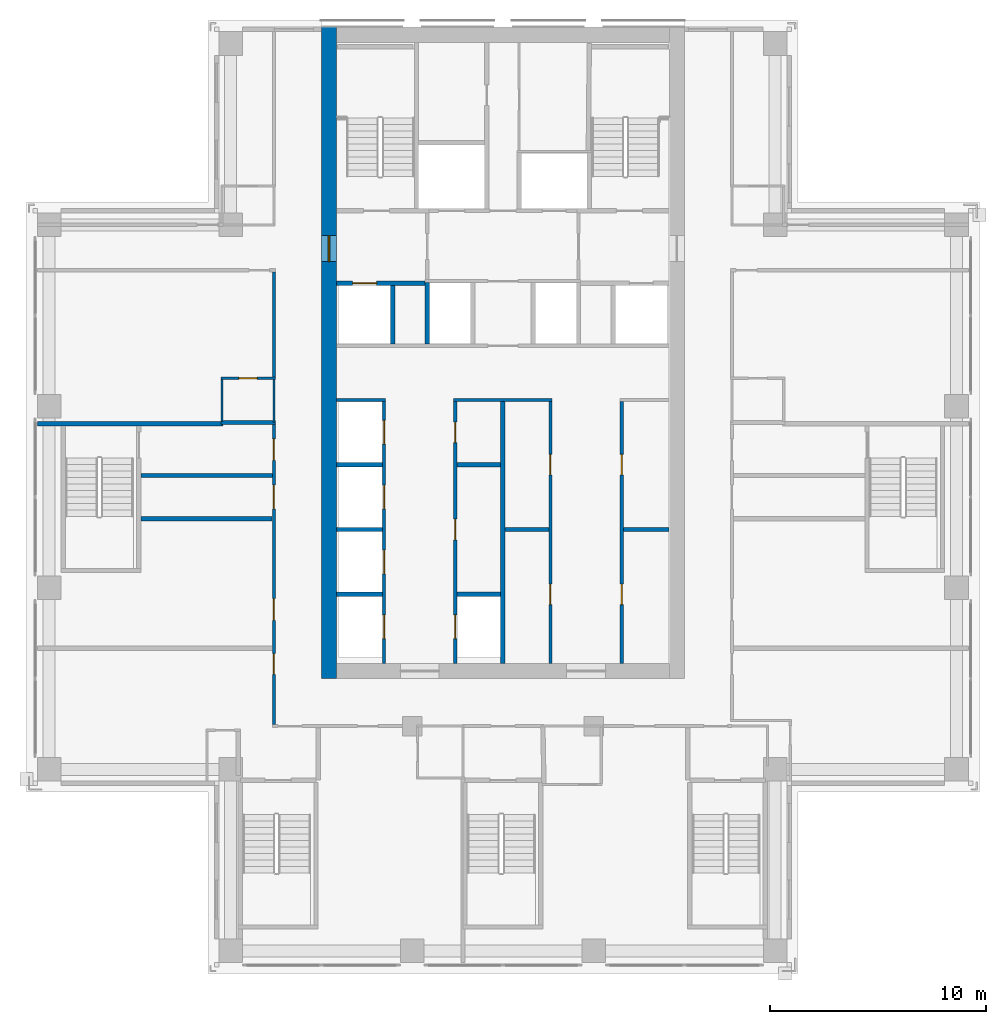
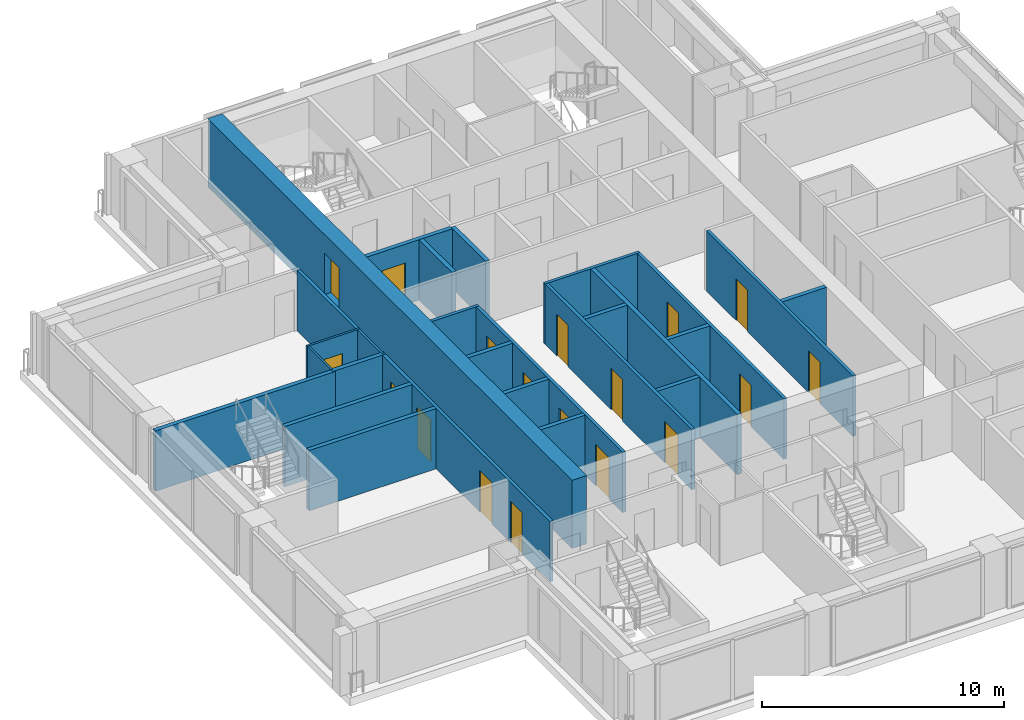
# One storey, part 10 of 16: 27 walls, 18 doors, 18 openings.
"""IFC4 building model written with IfcOpenShell, lengths in metres."""

import ifcopenshell
import ifcopenshell.guid

model = None  # the IFC model being written
_history = None  # IfcOwnerHistory: only IFC2X3 demands one
_inside = {}  # id of a spatial element -> (the spatial element, [elements in it])
_under = {}  # id of a project, library or spatial element -> (it, [spatial elements below it])
_declared = {}  # id of a project -> (the project, [libraries it declares])
_typed = {}  # id of a type object -> (the type object, [elements of that type])
_made_of = {}  # id of a material, layer set ... -> (it, [elements and type objects made of it])


def new_model(schema):
    """Start an empty IFC model of exactly this schema.

    Asked for "IFC4X3", IfcOpenShell would pick the latest addendum, in which some entities
    have other attributes; the version numbers below select the first issue.
    IFC2X3 requires an IfcOwnerHistory on every rooted entity: one is made here for all.
    """
    global model, _history
    if schema == "IFC4X3":
        model = ifcopenshell.file(schema_version=(4, 3, 0, 0))
    else:
        model = ifcopenshell.file(schema=schema)
    _inside.clear()
    _under.clear()
    _declared.clear()
    _typed.clear()
    _made_of.clear()
    _history = None
    if model.schema == "IFC2X3":
        org = make("IfcOrganization", Name="unknown")
        user = make(
            "IfcPersonAndOrganization",
            ThePerson=make("IfcPerson", FamilyName="unknown"),
            TheOrganization=org,
        )
        app = make(
            "IfcApplication",
            ApplicationDeveloper=org,
            Version="unknown",
            ApplicationFullName="unknown",
            ApplicationIdentifier="unknown",
        )
        _history = make(
            "IfcOwnerHistory",
            OwningUser=user,
            OwningApplication=app,
            ChangeAction="ADDED",
            CreationDate=0,
        )
    return model


def make(cls, **values):
    """One entity of the class cls with the attributes given. An attribute that is None is left unset."""
    return model.create_entity(
        cls, **{name: value for name, value in values.items() if value is not None}
    )


def rooted(cls, **values):
    """An entity with a GlobalId (a new one), such as an element, a storey or a relation."""
    return make(cls, GlobalId=ifcopenshell.guid.new(), OwnerHistory=_history, **values)


def si_unit(unit_type, name, prefix=None):
    """IfcSIUnit, for example si_unit("LENGTHUNIT", "METRE", prefix="MILLI")."""
    return make("IfcSIUnit", UnitType=unit_type, Prefix=prefix, Name=name)


def assignment(units):
    """IfcUnitAssignment: the units of a project."""
    return None if units is None else make("IfcUnitAssignment", Units=units)


def point(xyz):
    """IfcCartesianPoint."""
    return None if xyz is None else make("IfcCartesianPoint", Coordinates=xyz)


def direction(xyz):
    """IfcDirection."""
    return None if xyz is None else make("IfcDirection", DirectionRatios=xyz)


def frame(location, z_axis=None, x_axis=None):
    """IfcAxis2Placement3D, a coordinate frame: its origin and axes. An axis left out is left unset."""
    return make(
        "IfcAxis2Placement3D",
        Location=point(location),
        Axis=direction(z_axis),
        RefDirection=direction(x_axis),
    )


def frame_2d(location, x_axis=None):
    """IfcAxis2Placement2D, a coordinate frame in the plane: its origin and x axis."""
    return make(
        "IfcAxis2Placement2D", Location=point(location), RefDirection=direction(x_axis)
    )


def origin():
    """The frame at (0, 0, 0) with its axes left unset."""
    return frame((0.0, 0.0, 0.0))


def place(relative_to, where):
    """IfcLocalPlacement: puts the frame where relative to a parent placement (None: the world)."""
    return make(
        "IfcLocalPlacement", PlacementRelTo=relative_to, RelativePlacement=where
    )


def context(
    kind, dimensions, precision=None, world=None, true_north=None, identifier=None
):
    """IfcGeometricRepresentationContext, for example the 3D "Model" context."""
    return make(
        "IfcGeometricRepresentationContext",
        ContextIdentifier=identifier,
        ContextType=kind,
        CoordinateSpaceDimension=dimensions,
        Precision=precision,
        WorldCoordinateSystem=world,
        TrueNorth=true_north,
    )


def subcontext(parent, identifier, kind, view, scale=None):
    """IfcGeometricRepresentationSubContext, for example "Body" below "Model"."""
    return make(
        "IfcGeometricRepresentationSubContext",
        ContextIdentifier=identifier,
        ContextType=kind,
        ParentContext=parent,
        TargetScale=scale,
        TargetView=view,
    )


def project(units=None, contexts=None):
    """IfcProject with its units and contexts."""
    return rooted(
        "IfcProject",
        Name="project",
        RepresentationContexts=contexts,
        UnitsInContext=assignment(units),
    )


def spatial(cls, under=None, at=None, **own):
    """A site, building, storey or space (cls), placed at a placement, below another one or the project."""
    s = rooted(cls, ObjectPlacement=at, **own)
    if under is not None:
        _under.setdefault(under.id(), (under, []))[1].append(s)
    return s


def profile(cls, at=None, kind="AREA", **sizes):
    """A parametric profile (cls). Its sizes go by their IFC names, for example OverallWidth=200.0."""
    return make(cls, ProfileType=kind, Position=at, **sizes)


def rectangle(**sizes):
    """IfcRectangleProfileDef."""
    return profile("IfcRectangleProfileDef", **sizes)


def extrude(swept, where, along, depth):
    """IfcExtrudedAreaSolid: the profile swept, set in the frame where, extruded along a direction by depth."""
    return make(
        "IfcExtrudedAreaSolid",
        SweptArea=swept,
        Position=where,
        ExtrudedDirection=direction(along),
        Depth=depth,
    )


def shape(context_of_items, identifier, shape_type, items):
    """IfcShapeRepresentation: the items that make up one representation, for example the "Body"."""
    return make(
        "IfcShapeRepresentation",
        ContextOfItems=context_of_items,
        RepresentationIdentifier=identifier,
        RepresentationType=shape_type,
        Items=items,
    )


def material(Name=None, Category=None):
    """IfcMaterial."""
    return make("IfcMaterial", Name=Name, Category=Category)


def layer(
    of_material, thickness, ventilated=None, Name=None, Category=None, Priority=None
):
    """IfcMaterialLayer: one layer of a wall or slab, of a material (None: an air gap)."""
    return make(
        "IfcMaterialLayer",
        Material=of_material,
        LayerThickness=thickness,
        IsVentilated=ventilated,
        Name=Name,
        Category=Category,
        Priority=Priority,
    )


def layer_set(layers, Name=None):
    """IfcMaterialLayerSet."""
    return make("IfcMaterialLayerSet", MaterialLayers=layers, LayerSetName=Name)


def made_of(thing, what):
    """Note that an element or type object is made of a material, layer set ...; save() writes the relation."""
    if what is not None:
        _made_of.setdefault(what.id(), (what, []))[1].append(thing)
    return thing


def type_object(cls, material=None, **own):
    """A type object (cls), such as IfcWallType, which elements share."""
    return made_of(rooted(cls, **own), material)


def element(
    cls,
    number,
    at=None,
    inside=None,
    cuts=None,
    type_object=None,
    material=None,
    context=None,
    identifier="Body",
    shape_type=None,
    held_by="IfcProductDefinitionShape",
    body=None,
    shapes=None,
    **own,
):
    """One element of the class cls, such as IfcWall. Its Tag is "e" and its number.

    at: its placement. inside: the storey or other place that contains it. cuts: it is an
    opening in that element (IfcRelVoidsElement). A single representation is given by context,
    identifier, shape_type and body (its items); several are given by shapes. held_by: the class
    of the entity that holds the representations. save() writes the other relations.
    """
    e = rooted(cls, Tag="e%d" % number, ObjectPlacement=at, **own)
    if body is not None:
        shapes = [shape(context, identifier, shape_type, body)]
    if shapes is not None:
        e.Representation = make(held_by, Representations=shapes)
    if inside is not None:
        _inside.setdefault(inside.id(), (inside, []))[1].append(e)
    if cuts is not None:
        rooted(
            "IfcRelVoidsElement", RelatingBuildingElement=cuts, RelatedOpeningElement=e
        )
    if type_object is not None:
        _typed.setdefault(type_object.id(), (type_object, []))[1].append(e)
    return made_of(e, material)


def fill(opening, filler):
    """IfcRelFillsElement: the door or window that sits in an opening."""
    return rooted(
        "IfcRelFillsElement",
        RelatingOpeningElement=opening,
        RelatedBuildingElement=filler,
    )


def aggregate(whole, parts):
    """IfcRelAggregates: a whole, such as a stair, and the parts it consists of."""
    return rooted("IfcRelAggregates", RelatingObject=whole, RelatedObjects=parts)


def save(model, path):
    """Write the relations noted so far, then the file.

    IfcRelAggregates (storeys below a building ...), IfcRelContainedInSpatialStructure (elements
    in a storey), IfcRelDefinesByType, IfcRelAssociatesMaterial and IfcRelDeclares: one each for
    every whole, place, type object, material and project.
    """
    for whole, parts in _under.values():
        aggregate(whole, parts)
    for where, things in _inside.values():
        rooted(
            "IfcRelContainedInSpatialStructure",
            RelatedElements=things,
            RelatingStructure=where,
        )
    for kind, things in _typed.values():
        rooted("IfcRelDefinesByType", RelatedObjects=things, RelatingType=kind)
    for what, things in _made_of.values():
        rooted("IfcRelAssociatesMaterial", RelatedObjects=things, RelatingMaterial=what)
    for by, libraries in _declared.values():
        rooted("IfcRelDeclares", RelatingContext=by, RelatedDefinitions=libraries)
    model.write(path)


model = new_model("IFC4")

# Units and contexts
model_context = context("Model", 3, precision=1e-05, world=origin(), true_north=direction((0.0, 1.0)))
body_context = subcontext(model_context, "Body", "Model", "MODEL_VIEW")
ifc_project = project(units=[si_unit("LENGTHUNIT", "METRE"), si_unit("AREAUNIT", "SQUARE_METRE"), si_unit("VOLUMEUNIT", "CUBIC_METRE"), si_unit("PLANEANGLEUNIT", "RADIAN"), si_unit("MASSUNIT", "GRAM", prefix="KILO")], contexts=[model_context])

# Site, building, storey
site_placement = place(None, origin())
site = spatial("IfcSite", under=ifc_project, at=site_placement, CompositionType="ELEMENT")
building_placement = place(site_placement, origin())
building = spatial("IfcBuilding", under=site, at=building_placement, Name="Vermilion Ogive Tower", CompositionType="ELEMENT")
storey_placement = place(building_placement, frame((0.0, 0.0, 140.0)))
storey = spatial("IfcBuildingStorey", under=building, at=storey_placement, Name="L35", CompositionType="ELEMENT", Elevation=140.0)

# Wall, opening, door
ifc_material_1 = material(Name="Gypsum board partition on steel studs", Category="steel")
ifc_layer_1 = layer(ifc_material_1, 0.10009765625)
ifc_layer_set_1 = layer_set([ifc_layer_1], Name="Partition 100 bath")
wall_type_1 = type_object("IfcWallType", Name="Partition 100 bath", PredefinedType="PARTITIONING", material=ifc_layer_set_1)
wall_1_placement = place(storey_placement, frame((-13.050048828125, 5.5, 0.0), z_axis=(0.0, 0.0, 1.0), x_axis=(1.0, 0.0, 0.0)))
wall_1 = element("IfcWall", 1, at=wall_1_placement, inside=storey, type_object=wall_type_1, Name="L35-W-W027", PredefinedType="PARTITIONING", context=body_context, shape_type="SweptSolid", body=[
    extrude(rectangle(XDim=2.525146484375, YDim=0.10009765625, at=frame_2d((1.2626953125, 0.0))), origin(), (0.0, 0.0, 1.0), 3.050048828125),
])
opening_1_placement = place(wall_1_placement, frame((0.824951171875, 0.0, 0.0)))
opening_1 = element("IfcOpeningElement", 2, at=opening_1_placement, cuts=wall_1, Name="Opening D3G1004", PredefinedType="OPENING", context=body_context, shape_type="SweptSolid", body=[
    extrude(rectangle(XDim=0.85009765625, YDim=2.10009765625, at=frame_2d((0.425048828125, 1.050048828125))), frame((0.0, 0.06005859375, 0.0), z_axis=(0.0, -1.0, 0.0), x_axis=(1.0, 0.0, 0.0)), (0.0, 0.0, 1.0), 0.1201171875),
])
ifc_material_2 = material(Name="Timber door leaf", Category="wood")
door_type_1 = type_object("IfcDoorType", Name="Bath door 850 x 2100 FD30", OperationType="SINGLE_SWING_LEFT", PredefinedType="DOOR", material=ifc_material_2)
door_1_placement = place(opening_1_placement, origin())
door_1 = element("IfcDoor", 3, at=door_1_placement, inside=storey, type_object=door_type_1, Name="L35-D-D004", OperationType="SINGLE_SWING_RIGHT", OverallHeight=2.10009765625, OverallWidth=0.85009765625, PredefinedType="DOOR", context=body_context, shape_type="SweptSolid", body=[
    extrude(rectangle(XDim=0.85009765625, YDim=2.10009765625, at=frame_2d((0.425048828125, 1.050048828125))), frame((0.0, 0.02490234375, 0.0), z_axis=(0.0, -1.0, 0.0), x_axis=(1.0, 0.0, 0.0)), (0.0, 0.0, 1.0), 0.050048828125),
])
fill(opening_1, door_1)

# Walls
wall_2_placement = place(storey_placement, frame((-13.0, 3.5, 0.0), z_axis=(0.0, 0.0, 1.0), x_axis=(0.0, 1.0, 0.0)))
element("IfcWall", 4, at=wall_2_placement, inside=storey, type_object=wall_type_1, Name="L35-W-W040", PredefinedType="PARTITIONING", context=body_context, shape_type="SweptSolid", body=[
    extrude(rectangle(XDim=1.949951171875, YDim=0.10009765625, at=frame_2d((0.97509765625, 0.0))), origin(), (0.0, 0.0, 1.0), 3.050048828125),
])
wall_3_placement = place(storey_placement, frame((-10.60009765625, 3.449951171875, 0.0), z_axis=(0.0, 0.0, 1.0), x_axis=(0.0, 1.0, 0.0)))
element("IfcWall", 5, at=wall_3_placement, inside=storey, type_object=wall_type_1, Name="L35-W-W045", PredefinedType="PARTITIONING", context=body_context, shape_type="SweptSolid", body=[
    extrude(rectangle(XDim=2.0, YDim=0.10009765625, at=frame_2d((1.0, 0.0))), origin(), (0.0, 0.0, 1.0), 3.050048828125),
])

# Wall, openings, doors
ifc_material_3 = material(Name="Gypsum board partition on steel studs", Category="steel")
ifc_layer_2 = layer(ifc_material_3, 0.14990234375)
ifc_layer_set_2 = layer_set([ifc_layer_2], Name="Partition 150 corridor")
wall_type_2 = type_object("IfcWallType", Name="Partition 150 corridor", PredefinedType="PARTITIONING", material=ifc_layer_set_2)
wall_4_placement = place(storey_placement, frame((-10.60009765625, -10.52490234375, 0.0), z_axis=(0.0, 0.0, 1.0), x_axis=(0.0, 1.0, 0.0)))
wall_4 = element("IfcWall", 6, at=wall_4_placement, inside=storey, type_object=wall_type_2, Name="L35-W-W044", PredefinedType="PARTITIONING", context=body_context, shape_type="SweptSolid", body=[
    extrude(rectangle(XDim=13.875, YDim=0.14990234375, at=frame_2d((6.9375, 0.0))), origin(), (0.0, 0.0, 1.0), 3.050048828125),
])
opening_2_placement = place(wall_4_placement, frame((2.324951171875, 0.0, 0.0)))
opening_2 = element("IfcOpeningElement", 7, at=opening_2_placement, cuts=wall_4, Name="Opening D3G1001", PredefinedType="OPENING", context=body_context, shape_type="SweptSolid", body=[
    extrude(rectangle(XDim=0.949951171875, YDim=2.10009765625, at=frame_2d((0.47509765625, 1.050048828125))), frame((0.0, 0.0849609375, 0.0), z_axis=(0.0, -1.0, 0.0), x_axis=(1.0, 0.0, 0.0)), (0.0, 0.0, 1.0), 0.169921875),
])
opening_3_placement = place(wall_4_placement, frame((9.974853515625, 0.0, 0.0)))
opening_3 = element("IfcOpeningElement", 8, at=opening_3_placement, cuts=wall_4, Name="Opening D3G1025", PredefinedType="OPENING", context=body_context, shape_type="SweptSolid", body=[
    extrude(rectangle(XDim=1.10009765625, YDim=2.10009765625, at=frame_2d((0.550048828125, 1.050048828125))), frame((0.0, 0.0849609375, 0.0), z_axis=(0.0, -1.0, 0.0), x_axis=(1.0, 0.0, 0.0)), (0.0, 0.0, 1.0), 0.169921875),
])
opening_4_placement = place(wall_4_placement, frame((4.824951171875, 0.0, 0.0)))
opening_4 = element("IfcOpeningElement", 9, at=opening_4_placement, cuts=wall_4, Name="Opening D3G1027", PredefinedType="OPENING", context=body_context, shape_type="SweptSolid", body=[
    extrude(rectangle(XDim=1.0, YDim=2.10009765625, at=frame_2d((0.5, 1.050048828125))), frame((0.0, 0.0849609375, 0.0), z_axis=(0.0, -1.0, 0.0), x_axis=(1.0, 0.0, 0.0)), (0.0, 0.0, 1.0), 0.169921875),
])
opening_5_placement = place(wall_4_placement, frame((12.224853515625, 0.0, 0.0)))
opening_5 = element("IfcOpeningElement", 10, at=opening_5_placement, cuts=wall_4, Name="Opening D3G1029", PredefinedType="OPENING", context=body_context, shape_type="SweptSolid", body=[
    extrude(rectangle(XDim=1.0, YDim=2.10009765625, at=frame_2d((0.5, 1.050048828125))), frame((0.0, 0.0849609375, 0.0), z_axis=(0.0, -1.0, 0.0), x_axis=(1.0, 0.0, 0.0)), (0.0, 0.0, 1.0), 0.169921875),
])
ifc_material_4 = material(Name="Timber door leaf", Category="wood")
door_type_2 = type_object("IfcDoorType", Name="Stair door 1100 x 2100 FD60S", OperationType="SINGLE_SWING_LEFT", PredefinedType="DOOR", material=ifc_material_4)
door_2_placement = place(opening_3_placement, origin())
door_2 = element("IfcDoor", 11, at=door_2_placement, inside=storey, type_object=door_type_2, Name="L35-D-D025", OperationType="SINGLE_SWING_RIGHT", OverallHeight=2.10009765625, OverallWidth=1.10009765625, PredefinedType="DOOR", context=body_context, shape_type="SweptSolid", body=[
    extrude(rectangle(XDim=1.10009765625, YDim=2.10009765625, at=frame_2d((0.550048828125, 1.050048828125))), frame((0.0, 0.02490234375, 0.0), z_axis=(0.0, -1.0, 0.0), x_axis=(1.0, 0.0, 0.0)), (0.0, 0.0, 1.0), 0.050048828125),
])
fill(opening_3, door_2)
ifc_material_5 = material(Name="Timber door leaf", Category="wood")
door_type_3 = type_object("IfcDoorType", Name="Unit door 1000 x 2100 FD30S", OperationType="SINGLE_SWING_LEFT", PredefinedType="DOOR", material=ifc_material_5)
door_3_placement = place(opening_4_placement, origin())
door_3 = element("IfcDoor", 12, at=door_3_placement, inside=storey, type_object=door_type_3, Name="L35-D-D027", OperationType="SINGLE_SWING_RIGHT", OverallHeight=2.10009765625, OverallWidth=1.0, PredefinedType="DOOR", context=body_context, shape_type="SweptSolid", body=[
    extrude(rectangle(XDim=1.0, YDim=2.10009765625, at=frame_2d((0.5, 1.050048828125))), frame((0.0, 0.02490234375, 0.0), z_axis=(0.0, -1.0, 0.0), x_axis=(1.0, 0.0, 0.0)), (0.0, 0.0, 1.0), 0.050048828125),
])
fill(opening_4, door_3)
door_4_placement = place(opening_5_placement, origin())
door_4 = element("IfcDoor", 13, at=door_4_placement, inside=storey, type_object=door_type_3, Name="L35-D-D029", OperationType="SINGLE_SWING_RIGHT", OverallHeight=2.10009765625, OverallWidth=1.0, PredefinedType="DOOR", context=body_context, shape_type="SweptSolid", body=[
    extrude(rectangle(XDim=1.0, YDim=2.10009765625, at=frame_2d((0.5, 1.050048828125))), frame((0.0, 0.02490234375, 0.0), z_axis=(0.0, -1.0, 0.0), x_axis=(1.0, 0.0, 0.0)), (0.0, 0.0, 1.0), 0.050048828125),
])
fill(opening_5, door_4)
ifc_material_6 = material(Name="Timber door leaf", Category="wood")
door_type_4 = type_object("IfcDoorType", Name="Unit door 950 x 2100 FD30S", OperationType="SINGLE_SWING_LEFT", PredefinedType="DOOR", material=ifc_material_6)
door_5_placement = place(opening_2_placement, origin())
door_5 = element("IfcDoor", 14, at=door_5_placement, inside=storey, type_object=door_type_4, Name="L35-D-D001", OperationType="SINGLE_SWING_RIGHT", OverallHeight=2.10009765625, OverallWidth=0.949951171875, PredefinedType="DOOR", context=body_context, shape_type="SweptSolid", body=[
    extrude(rectangle(XDim=0.949951171875, YDim=2.10009765625, at=frame_2d((0.47509765625, 1.050048828125))), frame((0.0, 0.02490234375, 0.0), z_axis=(0.0, -1.0, 0.0), x_axis=(1.0, 0.0, 0.0)), (0.0, 0.0, 1.0), 0.050048828125),
])
fill(opening_2, door_5)

# Walls
wall_5_placement = place(storey_placement, frame((-10.60009765625, 5.550048828125, 0.0), z_axis=(0.0, 0.0, 1.0), x_axis=(0.0, 1.0, 0.0)))
element("IfcWall", 15, at=wall_5_placement, inside=storey, type_object=wall_type_2, Name="L35-W-W046", PredefinedType="PARTITIONING", context=body_context, shape_type="SweptSolid", body=[
    extrude(rectangle(XDim=4.875, YDim=0.14990234375, at=frame_2d((2.4375, 0.0))), origin(), (0.0, 0.0, 1.0), 3.050048828125),
])
wall_6_placement = place(storey_placement, frame((-7.698974609375, 4.5, 0.0), z_axis=(0.0, 0.0, 1.0), x_axis=(1.0, 0.0, 0.0)))
element("IfcWall", 16, at=wall_6_placement, inside=storey, type_object=wall_type_2, Name="L35-CK-W-W008", PredefinedType="PARTITIONING", context=body_context, shape_type="SweptSolid", body=[
    extrude(rectangle(XDim=2.27392578125, YDim=0.14990234375, at=frame_2d((1.136962890625, 0.0))), origin(), (0.0, 0.0, 1.0), 3.050048828125),
])
wall_7_placement = place(storey_placement, frame((-2.27490234375, 4.5, 0.0), z_axis=(0.0, 0.0, 1.0), x_axis=(1.0, 0.0, 0.0)))
element("IfcWall", 17, at=wall_7_placement, inside=storey, type_object=wall_type_2, Name="L35-CK-W-W009", PredefinedType="PARTITIONING", context=body_context, shape_type="SweptSolid", body=[
    extrude(rectangle(XDim=4.5498046875, YDim=0.14990234375, at=frame_2d((2.27490234375, 0.0))), origin(), (0.0, 0.0, 1.0), 3.050048828125),
])

# Wall, openings, doors
wall_8_placement = place(storey_placement, frame((-5.5, -7.698974609375, 0.0), z_axis=(0.0, 0.0, 1.0), x_axis=(0.0, 1.0, 0.0)))
wall_8 = element("IfcWall", 18, at=wall_8_placement, inside=storey, type_object=wall_type_2, Name="L35-CK-W-W020", PredefinedType="PARTITIONING", context=body_context, shape_type="SweptSolid", body=[
    extrude(rectangle(XDim=12.1240234375, YDim=0.14990234375, at=frame_2d((6.06201171875, 0.0))), origin(), (0.0, 0.0, 1.0), 3.050048828125),
])
opening_6_placement = place(wall_8_placement, frame((1.14892578125, 0.0, 0.0)))
opening_6 = element("IfcOpeningElement", 19, at=opening_6_placement, cuts=wall_8, Name="Opening DAA291", PredefinedType="OPENING", context=body_context, shape_type="SweptSolid", body=[
    extrude(rectangle(XDim=1.10009765625, YDim=2.10009765625, at=frame_2d((0.550048828125, 1.050048828125))), frame((0.0, 0.0849609375, 0.0), z_axis=(0.0, -1.0, 0.0), x_axis=(1.0, 0.0, 0.0)), (0.0, 0.0, 1.0), 0.169921875),
])
opening_7_placement = place(wall_8_placement, frame((4.14892578125, 0.0, 0.0)))
opening_7 = element("IfcOpeningElement", 20, at=opening_7_placement, cuts=wall_8, Name="Opening DAA292", PredefinedType="OPENING", context=body_context, shape_type="SweptSolid", body=[
    extrude(rectangle(XDim=1.10009765625, YDim=2.10009765625, at=frame_2d((0.550048828125, 1.050048828125))), frame((0.0, 0.0849609375, 0.0), z_axis=(0.0, -1.0, 0.0), x_axis=(1.0, 0.0, 0.0)), (0.0, 0.0, 1.0), 0.169921875),
])
opening_8_placement = place(wall_8_placement, frame((7.14892578125, 0.0, 0.0)))
opening_8 = element("IfcOpeningElement", 21, at=opening_8_placement, cuts=wall_8, Name="Opening DAA293", PredefinedType="OPENING", context=body_context, shape_type="SweptSolid", body=[
    extrude(rectangle(XDim=1.10009765625, YDim=2.10009765625, at=frame_2d((0.550048828125, 1.050048828125))), frame((0.0, 0.0849609375, 0.0), z_axis=(0.0, -1.0, 0.0), x_axis=(1.0, 0.0, 0.0)), (0.0, 0.0, 1.0), 0.169921875),
])
opening_9_placement = place(wall_8_placement, frame((10.14892578125, 0.0, 0.0)))
opening_9 = element("IfcOpeningElement", 22, at=opening_9_placement, cuts=wall_8, Name="Opening DAA294", PredefinedType="OPENING", context=body_context, shape_type="SweptSolid", body=[
    extrude(rectangle(XDim=1.10009765625, YDim=2.10009765625, at=frame_2d((0.550048828125, 1.050048828125))), frame((0.0, 0.0849609375, 0.0), z_axis=(0.0, -1.0, 0.0), x_axis=(1.0, 0.0, 0.0)), (0.0, 0.0, 1.0), 0.169921875),
])
ifc_material_7 = material(Name="Stainless steel", Category="steel")
door_type_5 = type_object("IfcDoorType", Name="Lift landing door 1100 x 2100", OperationType="SLIDING_TO_LEFT", PredefinedType="DOOR", material=ifc_material_7)
door_6_placement = place(opening_6_placement, origin())
door_6 = element("IfcDoor", 23, at=door_6_placement, inside=storey, type_object=door_type_5, Name="L35-CK-D-D001", OperationType="SLIDING_TO_LEFT", OverallHeight=2.10009765625, OverallWidth=1.10009765625, PredefinedType="DOOR", context=body_context, shape_type="SweptSolid", body=[
    extrude(rectangle(XDim=1.10009765625, YDim=2.10009765625, at=frame_2d((0.550048828125, 1.050048828125))), frame((0.0, 0.02490234375, 0.0), z_axis=(0.0, -1.0, 0.0), x_axis=(1.0, 0.0, 0.0)), (0.0, 0.0, 1.0), 0.050048828125),
])
fill(opening_6, door_6)
door_7_placement = place(opening_7_placement, origin())
door_7 = element("IfcDoor", 24, at=door_7_placement, inside=storey, type_object=door_type_5, Name="L35-CK-D-D002", OperationType="SLIDING_TO_LEFT", OverallHeight=2.10009765625, OverallWidth=1.10009765625, PredefinedType="DOOR", context=body_context, shape_type="SweptSolid", body=[
    extrude(rectangle(XDim=1.10009765625, YDim=2.10009765625, at=frame_2d((0.550048828125, 1.050048828125))), frame((0.0, 0.02490234375, 0.0), z_axis=(0.0, -1.0, 0.0), x_axis=(1.0, 0.0, 0.0)), (0.0, 0.0, 1.0), 0.050048828125),
])
fill(opening_7, door_7)
door_8_placement = place(opening_8_placement, origin())
door_8 = element("IfcDoor", 25, at=door_8_placement, inside=storey, type_object=door_type_5, Name="L35-CK-D-D003", OperationType="SLIDING_TO_LEFT", OverallHeight=2.10009765625, OverallWidth=1.10009765625, PredefinedType="DOOR", context=body_context, shape_type="SweptSolid", body=[
    extrude(rectangle(XDim=1.10009765625, YDim=2.10009765625, at=frame_2d((0.550048828125, 1.050048828125))), frame((0.0, 0.02490234375, 0.0), z_axis=(0.0, -1.0, 0.0), x_axis=(1.0, 0.0, 0.0)), (0.0, 0.0, 1.0), 0.050048828125),
])
fill(opening_8, door_8)
door_9_placement = place(opening_9_placement, origin())
door_9 = element("IfcDoor", 26, at=door_9_placement, inside=storey, type_object=door_type_5, Name="L35-CK-D-D004", OperationType="SLIDING_TO_LEFT", OverallHeight=2.10009765625, OverallWidth=1.10009765625, PredefinedType="DOOR", context=body_context, shape_type="SweptSolid", body=[
    extrude(rectangle(XDim=1.10009765625, YDim=2.10009765625, at=frame_2d((0.550048828125, 1.050048828125))), frame((0.0, 0.02490234375, 0.0), z_axis=(0.0, -1.0, 0.0), x_axis=(1.0, 0.0, 0.0)), (0.0, 0.0, 1.0), 0.050048828125),
])
fill(opening_9, door_9)

wall_9_placement = place(storey_placement, frame((-2.199951171875, -7.698974609375, 0.0), z_axis=(0.0, 0.0, 1.0), x_axis=(0.0, 1.0, 0.0)))
wall_9 = element("IfcWall", 27, at=wall_9_placement, inside=storey, type_object=wall_type_2, Name="L35-CK-W-W025", PredefinedType="PARTITIONING", context=body_context, shape_type="SweptSolid", body=[
    extrude(rectangle(XDim=12.1240234375, YDim=0.14990234375, at=frame_2d((6.06201171875, 0.0))), origin(), (0.0, 0.0, 1.0), 3.050048828125),
])
opening_10_placement = place(wall_9_placement, frame((1.14892578125, 0.0, 0.0)))
opening_10 = element("IfcOpeningElement", 28, at=opening_10_placement, cuts=wall_9, Name="Opening DAA295", PredefinedType="OPENING", context=body_context, shape_type="SweptSolid", body=[
    extrude(rectangle(XDim=1.10009765625, YDim=2.10009765625, at=frame_2d((0.550048828125, 1.050048828125))), frame((0.0, 0.0849609375, 0.0), z_axis=(0.0, -1.0, 0.0), x_axis=(1.0, 0.0, 0.0)), (0.0, 0.0, 1.0), 0.169921875),
])
opening_11_placement = place(wall_9_placement, frame((5.723876953125, 0.0, 0.0)))
opening_11 = element("IfcOpeningElement", 29, at=opening_11_placement, cuts=wall_9, Name="Opening DAA281", PredefinedType="OPENING", context=body_context, shape_type="SweptSolid", body=[
    extrude(rectangle(XDim=0.949951171875, YDim=2.10009765625, at=frame_2d((0.47509765625, 1.050048828125))), frame((0.0, 0.0849609375, 0.0), z_axis=(0.0, -1.0, 0.0), x_axis=(1.0, 0.0, 0.0)), (0.0, 0.0, 1.0), 0.169921875),
])
opening_12_placement = place(wall_9_placement, frame((10.223876953125, 0.0, 0.0)))
opening_12 = element("IfcOpeningElement", 30, at=opening_12_placement, cuts=wall_9, Name="Opening DAA282", PredefinedType="OPENING", context=body_context, shape_type="SweptSolid", body=[
    extrude(rectangle(XDim=0.949951171875, YDim=2.10009765625, at=frame_2d((0.47509765625, 1.050048828125))), frame((0.0, 0.0849609375, 0.0), z_axis=(0.0, -1.0, 0.0), x_axis=(1.0, 0.0, 0.0)), (0.0, 0.0, 1.0), 0.169921875),
])
door_10_placement = place(opening_10_placement, origin())
door_10 = element("IfcDoor", 31, at=door_10_placement, inside=storey, type_object=door_type_5, Name="L35-CK-D-D005", OperationType="SLIDING_TO_LEFT", OverallHeight=2.10009765625, OverallWidth=1.10009765625, PredefinedType="DOOR", context=body_context, shape_type="SweptSolid", body=[
    extrude(rectangle(XDim=1.10009765625, YDim=2.10009765625, at=frame_2d((0.550048828125, 1.050048828125))), frame((0.0, 0.02490234375, 0.0), z_axis=(0.0, -1.0, 0.0), x_axis=(1.0, 0.0, 0.0)), (0.0, 0.0, 1.0), 0.050048828125),
])
fill(opening_10, door_10)
ifc_material_8 = material(Name="Timber door leaf", Category="wood")
door_type_6 = type_object("IfcDoorType", Name="Service door 950 x 2100 FD60", OperationType="SINGLE_SWING_LEFT", PredefinedType="DOOR", material=ifc_material_8)
door_11_placement = place(opening_11_placement, origin())
door_11 = element("IfcDoor", 32, at=door_11_placement, inside=storey, type_object=door_type_6, Name="L35-CK-D-D006", OperationType="SINGLE_SWING_LEFT", OverallHeight=2.10009765625, OverallWidth=0.949951171875, PredefinedType="DOOR", context=body_context, shape_type="SweptSolid", body=[
    extrude(rectangle(XDim=0.949951171875, YDim=2.10009765625, at=frame_2d((0.47509765625, 1.050048828125))), frame((0.0, 0.02490234375, 0.0), z_axis=(0.0, -1.0, 0.0), x_axis=(1.0, 0.0, 0.0)), (0.0, 0.0, 1.0), 0.050048828125),
])
fill(opening_11, door_11)
door_12_placement = place(opening_12_placement, origin())
door_12 = element("IfcDoor", 33, at=door_12_placement, inside=storey, type_object=door_type_6, Name="L35-CK-D-D007", OperationType="SINGLE_SWING_RIGHT", OverallHeight=2.10009765625, OverallWidth=0.949951171875, PredefinedType="DOOR", context=body_context, shape_type="SweptSolid", body=[
    extrude(rectangle(XDim=0.949951171875, YDim=2.10009765625, at=frame_2d((0.47509765625, 1.050048828125))), frame((0.0, 0.02490234375, 0.0), z_axis=(0.0, -1.0, 0.0), x_axis=(1.0, 0.0, 0.0)), (0.0, 0.0, 1.0), 0.050048828125),
])
fill(opening_12, door_12)

wall_10_placement = place(storey_placement, frame((2.199951171875, -7.698974609375, 0.0), z_axis=(0.0, 0.0, 1.0), x_axis=(0.0, 1.0, 0.0)))
wall_10 = element("IfcWall", 34, at=wall_10_placement, inside=storey, type_object=wall_type_2, Name="L35-CK-W-W032", PredefinedType="PARTITIONING", context=body_context, shape_type="SweptSolid", body=[
    extrude(rectangle(XDim=12.1240234375, YDim=0.14990234375, at=frame_2d((6.06201171875, 0.0))), origin(), (0.0, 0.0, 1.0), 3.050048828125),
])
opening_13_placement = place(wall_10_placement, frame((2.723876953125, 0.0, 0.0)))
opening_13 = element("IfcOpeningElement", 35, at=opening_13_placement, cuts=wall_10, Name="Opening DAA283", PredefinedType="OPENING", context=body_context, shape_type="SweptSolid", body=[
    extrude(rectangle(XDim=0.949951171875, YDim=2.10009765625, at=frame_2d((0.47509765625, 1.050048828125))), frame((0.0, 0.0849609375, 0.0), z_axis=(0.0, -1.0, 0.0), x_axis=(1.0, 0.0, 0.0)), (0.0, 0.0, 1.0), 0.169921875),
])
opening_14_placement = place(wall_10_placement, frame((8.723876953125, 0.0, 0.0)))
opening_14 = element("IfcOpeningElement", 36, at=opening_14_placement, cuts=wall_10, Name="Opening DAA284", PredefinedType="OPENING", context=body_context, shape_type="SweptSolid", body=[
    extrude(rectangle(XDim=0.949951171875, YDim=2.10009765625, at=frame_2d((0.47509765625, 1.050048828125))), frame((0.0, 0.0849609375, 0.0), z_axis=(0.0, -1.0, 0.0), x_axis=(1.0, 0.0, 0.0)), (0.0, 0.0, 1.0), 0.169921875),
])
door_13_placement = place(opening_13_placement, origin())
door_13 = element("IfcDoor", 37, at=door_13_placement, inside=storey, type_object=door_type_6, Name="L35-CK-D-D008", OperationType="SINGLE_SWING_RIGHT", OverallHeight=2.10009765625, OverallWidth=0.949951171875, PredefinedType="DOOR", context=body_context, shape_type="SweptSolid", body=[
    extrude(rectangle(XDim=0.949951171875, YDim=2.10009765625, at=frame_2d((0.47509765625, 1.050048828125))), frame((0.0, 0.02490234375, 0.0), z_axis=(0.0, -1.0, 0.0), x_axis=(1.0, 0.0, 0.0)), (0.0, 0.0, 1.0), 0.050048828125),
])
fill(opening_13, door_13)
door_14_placement = place(opening_14_placement, origin())
door_14 = element("IfcDoor", 38, at=door_14_placement, inside=storey, type_object=door_type_6, Name="L35-CK-D-D009", OperationType="SINGLE_SWING_RIGHT", OverallHeight=2.10009765625, OverallWidth=0.949951171875, PredefinedType="DOOR", context=body_context, shape_type="SweptSolid", body=[
    extrude(rectangle(XDim=0.949951171875, YDim=2.10009765625, at=frame_2d((0.47509765625, 1.050048828125))), frame((0.0, 0.02490234375, 0.0), z_axis=(0.0, -1.0, 0.0), x_axis=(1.0, 0.0, 0.0)), (0.0, 0.0, 1.0), 0.050048828125),
])
fill(opening_14, door_14)

wall_11_placement = place(storey_placement, frame((5.5, -7.698974609375, 0.0), z_axis=(0.0, 0.0, 1.0), x_axis=(0.0, 1.0, 0.0)))
wall_11 = element("IfcWall", 39, at=wall_11_placement, inside=storey, type_object=wall_type_2, Name="L35-CK-W-W038", PredefinedType="PARTITIONING", context=body_context, shape_type="SweptSolid", body=[
    extrude(rectangle(XDim=12.1240234375, YDim=0.14990234375, at=frame_2d((6.06201171875, 0.0))), origin(), (0.0, 0.0, 1.0), 3.050048828125),
])
opening_15_placement = place(wall_11_placement, frame((2.723876953125, 0.0, 0.0)))
opening_15 = element("IfcOpeningElement", 40, at=opening_15_placement, cuts=wall_11, Name="Opening DAA285", PredefinedType="OPENING", context=body_context, shape_type="SweptSolid", body=[
    extrude(rectangle(XDim=0.949951171875, YDim=2.10009765625, at=frame_2d((0.47509765625, 1.050048828125))), frame((0.0, 0.0849609375, 0.0), z_axis=(0.0, -1.0, 0.0), x_axis=(1.0, 0.0, 0.0)), (0.0, 0.0, 1.0), 0.169921875),
])
opening_16_placement = place(wall_11_placement, frame((8.723876953125, 0.0, 0.0)))
opening_16 = element("IfcOpeningElement", 41, at=opening_16_placement, cuts=wall_11, Name="Opening DAA286", PredefinedType="OPENING", context=body_context, shape_type="SweptSolid", body=[
    extrude(rectangle(XDim=0.949951171875, YDim=2.10009765625, at=frame_2d((0.47509765625, 1.050048828125))), frame((0.0, 0.0849609375, 0.0), z_axis=(0.0, -1.0, 0.0), x_axis=(1.0, 0.0, 0.0)), (0.0, 0.0, 1.0), 0.169921875),
])
door_15_placement = place(opening_15_placement, origin())
door_15 = element("IfcDoor", 42, at=door_15_placement, inside=storey, type_object=door_type_6, Name="L35-CK-D-D010", OperationType="SINGLE_SWING_LEFT", OverallHeight=2.10009765625, OverallWidth=0.949951171875, PredefinedType="DOOR", context=body_context, shape_type="SweptSolid", body=[
    extrude(rectangle(XDim=0.949951171875, YDim=2.10009765625, at=frame_2d((0.47509765625, 1.050048828125))), frame((0.0, 0.02490234375, 0.0), z_axis=(0.0, -1.0, 0.0), x_axis=(1.0, 0.0, 0.0)), (0.0, 0.0, 1.0), 0.050048828125),
])
fill(opening_15, door_15)
door_16_placement = place(opening_16_placement, origin())
door_16 = element("IfcDoor", 43, at=door_16_placement, inside=storey, type_object=door_type_6, Name="L35-CK-D-D011", OperationType="SINGLE_SWING_LEFT", OverallHeight=2.10009765625, OverallWidth=0.949951171875, PredefinedType="DOOR", context=body_context, shape_type="SweptSolid", body=[
    extrude(rectangle(XDim=0.949951171875, YDim=2.10009765625, at=frame_2d((0.47509765625, 1.050048828125))), frame((0.0, 0.02490234375, 0.0), z_axis=(0.0, -1.0, 0.0), x_axis=(1.0, 0.0, 0.0)), (0.0, 0.0, 1.0), 0.050048828125),
])
fill(opening_16, door_16)

# Walls
ifc_material_9 = material(Name="Gypsum board partition on steel studs", Category="steel")
ifc_layer_3 = layer(ifc_material_9, 0.199951171875)
ifc_layer_set_3 = layer_set([ifc_layer_3], Name="Partition 200 party")
wall_type_3 = type_object("IfcWallType", Name="Partition 200 party", PredefinedType="PARTITIONING", material=ifc_layer_set_3)
wall_12_placement = place(storey_placement, frame((-16.748046875, -1.0, 0.0), z_axis=(0.0, 0.0, 1.0), x_axis=(1.0, 0.0, 0.0)))
element("IfcWall", 44, at=wall_12_placement, inside=storey, type_object=wall_type_3, Name="L35-W-W019", PredefinedType="PARTITIONING", context=body_context, shape_type="SweptSolid", body=[
    extrude(rectangle(XDim=6.071044921875, YDim=0.199951171875, at=frame_2d((3.03564453125, 0.0))), origin(), (0.0, 0.0, 1.0), 3.050048828125),
])
wall_13_placement = place(storey_placement, frame((-16.75, 1.0, 0.0), z_axis=(0.0, 0.0, 1.0), x_axis=(1.0, 0.0, 0.0)))
element("IfcWall", 45, at=wall_13_placement, inside=storey, type_object=wall_type_3, Name="L35-W-W021", PredefinedType="PARTITIONING", context=body_context, shape_type="SweptSolid", body=[
    extrude(rectangle(XDim=6.074951171875, YDim=0.199951171875, at=frame_2d((3.03759765625, 0.0))), origin(), (0.0, 0.0, 1.0), 3.050048828125),
])
wall_14_placement = place(storey_placement, frame((-7.698974609375, -4.5, 0.0), z_axis=(0.0, 0.0, 1.0), x_axis=(1.0, 0.0, 0.0)))
element("IfcWall", 46, at=wall_14_placement, inside=storey, type_object=wall_type_3, Name="L35-CK-W-W001", PredefinedType="PARTITIONING", context=body_context, shape_type="SweptSolid", body=[
    extrude(rectangle(XDim=2.1240234375, YDim=0.199951171875, at=frame_2d((1.06201171875, 0.0))), origin(), (0.0, 0.0, 1.0), 3.050048828125),
])
wall_15_placement = place(storey_placement, frame((-2.125, -4.5, 0.0), z_axis=(0.0, 0.0, 1.0), x_axis=(1.0, 0.0, 0.0)))
element("IfcWall", 47, at=wall_15_placement, inside=storey, type_object=wall_type_3, Name="L35-CK-W-W002", PredefinedType="PARTITIONING", context=body_context, shape_type="SweptSolid", body=[
    extrude(rectangle(XDim=2.02490234375, YDim=0.199951171875, at=frame_2d((1.012451171875, 0.0))), origin(), (0.0, 0.0, 1.0), 3.050048828125),
])
wall_16_placement = place(storey_placement, frame((-7.698974609375, -1.5, 0.0), z_axis=(0.0, 0.0, 1.0), x_axis=(1.0, 0.0, 0.0)))
element("IfcWall", 48, at=wall_16_placement, inside=storey, type_object=wall_type_3, Name="L35-CK-W-W003", PredefinedType="PARTITIONING", context=body_context, shape_type="SweptSolid", body=[
    extrude(rectangle(XDim=2.1240234375, YDim=0.199951171875, at=frame_2d((1.06201171875, 0.0))), origin(), (0.0, 0.0, 1.0), 3.050048828125),
])
wall_17_placement = place(storey_placement, frame((0.10009765625, -1.5, 0.0), z_axis=(0.0, 0.0, 1.0), x_axis=(1.0, 0.0, 0.0)))
element("IfcWall", 49, at=wall_17_placement, inside=storey, type_object=wall_type_3, Name="L35-CK-W-W004", PredefinedType="PARTITIONING", context=body_context, shape_type="SweptSolid", body=[
    extrude(rectangle(XDim=2.02490234375, YDim=0.199951171875, at=frame_2d((1.012451171875, 0.0))), origin(), (0.0, 0.0, 1.0), 3.050048828125),
])
for number, where, z_axis, x_axis, name in (
    (50, (5.574951171875, -1.5, 0.0), (0.0, 0.0, 1.0), (1.0, 0.0, 0.0), "L35-CK-W-W005"),
    (51, (-7.698974609375, 1.5, 0.0), (0.0, 0.0, 1.0), (1.0, 0.0, 0.0), "L35-CK-W-W006"),
):
    element("IfcWall", number, at=place(storey_placement, frame(where, z_axis=z_axis, x_axis=x_axis)), inside=storey, type_object=wall_type_3, Name=name, PredefinedType="PARTITIONING", context=body_context, shape_type="SweptSolid", body=[
        extrude(rectangle(XDim=2.1240234375, YDim=0.199951171875, at=frame_2d((1.06201171875, 0.0))), origin(), (0.0, 0.0, 1.0), 3.050048828125),
    ])
wall_18_placement = place(storey_placement, frame((-2.125, 1.5, 0.0), z_axis=(0.0, 0.0, 1.0), x_axis=(1.0, 0.0, 0.0)))
element("IfcWall", 52, at=wall_18_placement, inside=storey, type_object=wall_type_3, Name="L35-CK-W-W007", PredefinedType="PARTITIONING", context=body_context, shape_type="SweptSolid", body=[
    extrude(rectangle(XDim=2.02490234375, YDim=0.199951171875, at=frame_2d((1.012451171875, 0.0))), origin(), (0.0, 0.0, 1.0), 3.050048828125),
])

# Wall, opening, door
wall_19_placement = place(storey_placement, frame((-7.698974609375, 9.89990234375, 0.0), z_axis=(0.0, 0.0, 1.0), x_axis=(1.0, 0.0, 0.0)))
wall_19 = element("IfcWall", 53, at=wall_19_placement, inside=storey, type_object=wall_type_3, Name="L35-CK-W-W012", PredefinedType="PARTITIONING", context=body_context, shape_type="SweptSolid", body=[
    extrude(rectangle(XDim=4.098876953125, YDim=0.199951171875, at=frame_2d((2.04931640625, 0.0))), origin(), (0.0, 0.0, 1.0), 3.050048828125),
])
opening_17_placement = place(wall_19_placement, frame((0.7490234375, 0.0, 0.0)))
opening_17 = element("IfcOpeningElement", 54, at=opening_17_placement, cuts=wall_19, Name="Opening DAA296", PredefinedType="OPENING", context=body_context, shape_type="SweptSolid", body=[
    extrude(rectangle(XDim=1.10009765625, YDim=2.10009765625, at=frame_2d((0.550048828125, 1.050048828125))), frame((0.0, 0.10986328125, 0.0), z_axis=(0.0, -1.0, 0.0), x_axis=(1.0, 0.0, 0.0)), (0.0, 0.0, 1.0), 0.219970703125),
])
door_17_placement = place(opening_17_placement, origin())
door_17 = element("IfcDoor", 55, at=door_17_placement, inside=storey, type_object=door_type_5, Name="L35-CK-D-D013", OperationType="SLIDING_TO_RIGHT", OverallHeight=2.10009765625, OverallWidth=1.10009765625, PredefinedType="DOOR", context=body_context, shape_type="SweptSolid", body=[
    extrude(rectangle(XDim=1.10009765625, YDim=2.10009765625, at=frame_2d((0.550048828125, 1.050048828125))), frame((0.0, 0.02490234375, 0.0), z_axis=(0.0, -1.0, 0.0), x_axis=(1.0, 0.0, 0.0)), (0.0, 0.0, 1.0), 0.050048828125),
])
fill(opening_17, door_17)

# Walls
wall_20_placement = place(storey_placement, frame((-5.10009765625, 7.074951171875, 0.0), z_axis=(0.0, 0.0, 1.0), x_axis=(0.0, 1.0, 0.0)))
element("IfcWall", 56, at=wall_20_placement, inside=storey, type_object=wall_type_3, Name="L35-CK-W-W021", PredefinedType="PARTITIONING", context=body_context, shape_type="SweptSolid", body=[
    extrude(rectangle(XDim=2.72509765625, YDim=0.199951171875, at=frame_2d((1.362548828125, 0.0))), origin(), (0.0, 0.0, 1.0), 3.050048828125),
])
wall_21_placement = place(storey_placement, frame((-3.5, 7.074951171875, 0.0), z_axis=(0.0, 0.0, 1.0), x_axis=(0.0, 1.0, 0.0)))
element("IfcWall", 57, at=wall_21_placement, inside=storey, type_object=wall_type_3, Name="L35-CK-W-W023", PredefinedType="PARTITIONING", context=body_context, shape_type="SweptSolid", body=[
    extrude(rectangle(XDim=2.85009765625, YDim=0.199951171875, at=frame_2d((1.425048828125, 0.0))), origin(), (0.0, 0.0, 1.0), 3.050048828125),
])
wall_22_placement = place(storey_placement, frame((0.0, -7.698974609375, 0.0), z_axis=(0.0, 0.0, 1.0), x_axis=(0.0, 1.0, 0.0)))
element("IfcWall", 58, at=wall_22_placement, inside=storey, type_object=wall_type_3, Name="L35-CK-W-W028", PredefinedType="PARTITIONING", context=body_context, shape_type="SweptSolid", body=[
    extrude(rectangle(XDim=12.1240234375, YDim=0.199951171875, at=frame_2d((6.06201171875, 0.0))), origin(), (0.0, 0.0, 1.0), 3.050048828125),
])

# Wall, opening, door
ifc_material_10 = material(Name="Concrete B60", Category="concrete")
ifc_layer_4 = layer(ifc_material_10, 0.199951171875)
ifc_layer_set_4 = layer_set([ifc_layer_4], Name="Stair shaft wall 200 Concrete B60")
wall_type_4 = type_object("IfcWallType", Name="Stair shaft wall 200 Concrete B60", PredefinedType="SOLIDWALL", material=ifc_layer_set_4)
wall_23_placement = place(storey_placement, frame((-8.050048828125, -8.39990234375, -0.39990234375), z_axis=(0.0, 0.0, 1.0), x_axis=(0.0, 1.0, 0.0)))
wall_23 = element("IfcWall", 59, at=wall_23_placement, inside=storey, type_object=wall_type_4, Name="L35-CORE-W", PredefinedType="SOLIDWALL", context=body_context, shape_type="SweptSolid", body=[
    extrude(rectangle(XDim=30.14990234375, YDim=0.699951171875, at=frame_2d((15.074951171875, 0.0))), origin(), (0.0, 0.0, 1.0), 3.449951171875),
])
opening_18_placement = place(wall_23_placement, frame((19.300048828125, 0.0, 0.39990234375)))
opening_18 = element("IfcOpeningElement", 60, at=opening_18_placement, cuts=wall_23, Name="Opening DAM013", PredefinedType="OPENING", context=body_context, shape_type="SweptSolid", body=[
    extrude(rectangle(XDim=1.199951171875, YDim=2.10009765625, at=frame_2d((0.60009765625, 1.050048828125))), frame((0.0, 0.35986328125, 0.0), z_axis=(0.0, -1.0, 0.0), x_axis=(1.0, 0.0, 0.0)), (0.0, 0.0, 1.0), 0.719970703125),
])
ifc_material_11 = material(Name="Timber door leaf", Category="wood")
door_type_7 = type_object("IfcDoorType", Name="Link door 1200 x 2100 FD60S", OperationType="SINGLE_SWING_LEFT", PredefinedType="DOOR", material=ifc_material_11)
door_18_placement = place(opening_18_placement, origin())
door_18 = element("IfcDoor", 61, at=door_18_placement, inside=storey, type_object=door_type_7, Name="L35-CK-XD3", OperationType="SINGLE_SWING_LEFT", OverallHeight=2.10009765625, OverallWidth=1.199951171875, PredefinedType="DOOR", context=body_context, shape_type="SweptSolid", body=[
    extrude(rectangle(XDim=1.199951171875, YDim=2.10009765625, at=frame_2d((0.60009765625, 1.050048828125))), frame((0.0, 0.02490234375, 0.0), z_axis=(0.0, -1.0, 0.0), x_axis=(1.0, 0.0, 0.0)), (0.0, 0.0, 1.0), 0.050048828125),
])
fill(opening_18, door_18)

# Walls
wall_24_placement = place(storey_placement, frame((-13.050048828125, 3.449951171875, 0.0), z_axis=(0.0, 0.0, 1.0), x_axis=(1.0, 0.0, 0.0)))
element("IfcWall", 62, at=wall_24_placement, inside=storey, type_object=wall_type_4, Name="L35-W-W024", PredefinedType="SOLIDWALL", context=body_context, shape_type="SweptSolid", body=[
    extrude(rectangle(XDim=2.525146484375, YDim=0.199951171875, at=frame_2d((1.2626953125, 0.0))), origin(), (0.0, 0.0, 1.0), 3.050048828125),
])
wall_25_placement = place(storey_placement, frame((-21.550048828125, 3.39990234375, 0.0), z_axis=(0.0, 0.0, 1.0), x_axis=(1.0, 0.0, 0.0)))
element("IfcWall", 63, at=wall_25_placement, inside=storey, type_object=wall_type_4, Name="L35-W-W023-A", PredefinedType="SOLIDWALL", context=body_context, shape_type="SweptSolid", body=[
    extrude(rectangle(XDim=8.60009765625, YDim=0.199951171875, at=frame_2d((4.300048828125, 0.0))), origin(), (0.0, 0.0, 1.0), 3.050048828125),
])

save(model, "model.ifc")
